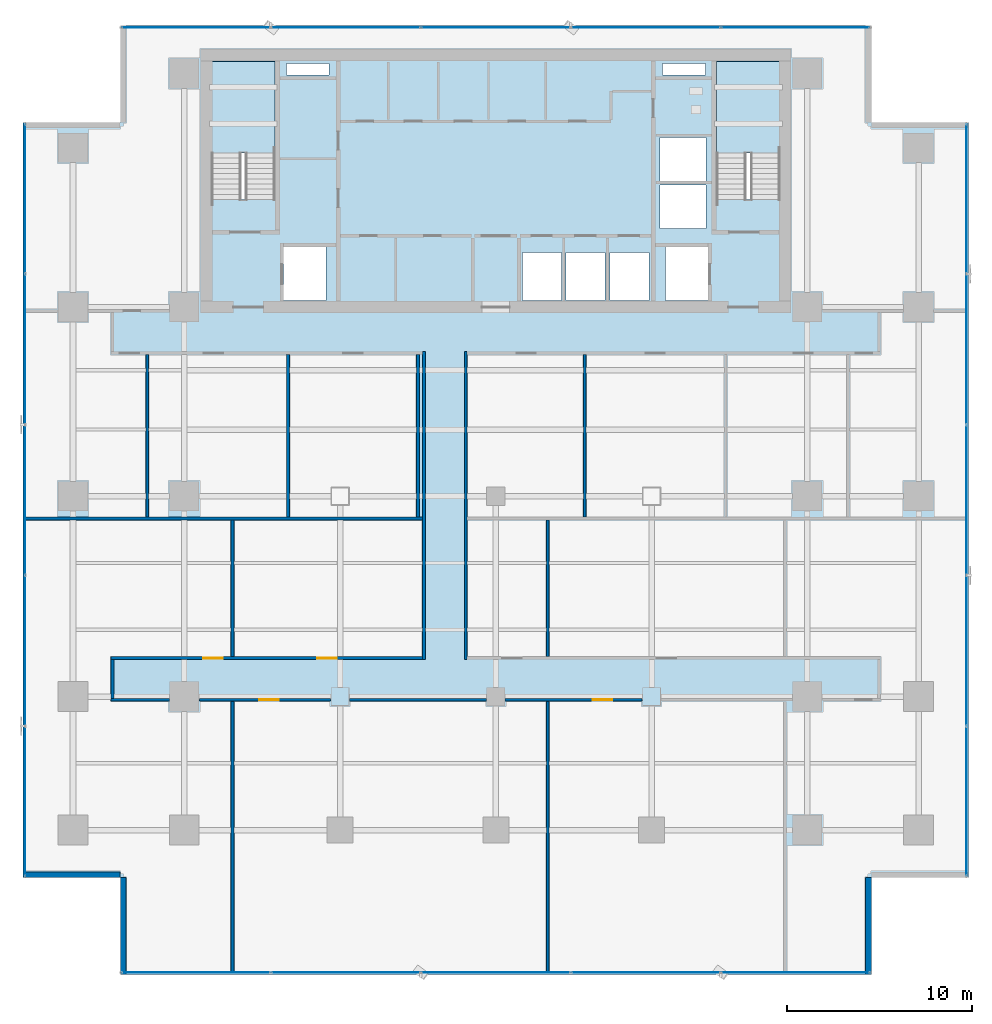
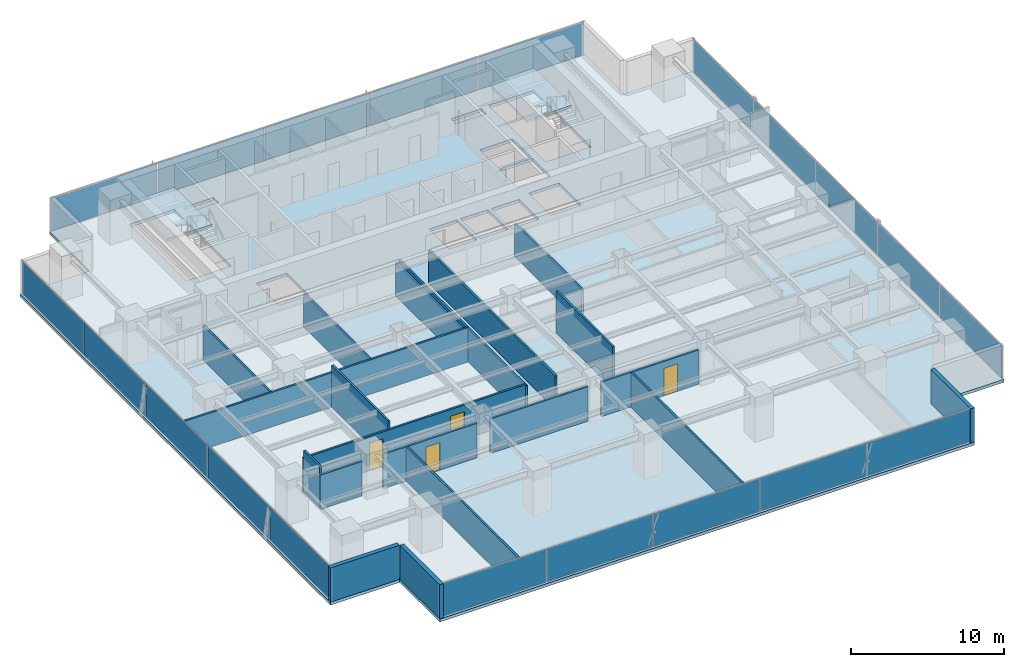
# One storey, part 27 of 37: 20 plates, 20 walls, 4 doors, 3 slabs, 4 openings, 6 elements without a shape of their own.
"""IFC4 building model written with IfcOpenShell, lengths in metres."""

from ifc_helpers import new_model, si_unit, direction, frame, frame_2d, origin, origin_2d, place, context, subcontext, project, spatial, polyline, rectangle, outline, extrude, source, transform, mapped, material, layer, layer_set, type_object, element, fill, aggregate, save


model = new_model("IFC4")

# Units and contexts
model_context = context("Model", 3, precision=1e-05, world=origin(), true_north=direction((0.0, 1.0)))
body_context = subcontext(model_context, "Body", "Model", "MODEL_VIEW")
ifc_project = project(units=[si_unit("LENGTHUNIT", "METRE"), si_unit("AREAUNIT", "SQUARE_METRE"), si_unit("VOLUMEUNIT", "CUBIC_METRE"), si_unit("PLANEANGLEUNIT", "RADIAN"), si_unit("MASSUNIT", "GRAM", prefix="KILO")], contexts=[model_context])

# Site, building, storey
site_placement = place(None, origin())
site = spatial("IfcSite", under=ifc_project, at=site_placement, CompositionType="ELEMENT")
building_placement = place(site_placement, origin())
building = spatial("IfcBuilding", under=site, at=building_placement, Name="Sumidabori Civic Tower", CompositionType="ELEMENT")
storey_placement = place(building_placement, frame((0.0, 0.0, 95.60009765625)))
storey = spatial("IfcBuildingStorey", under=building, at=storey_placement, Name="L24", CompositionType="ELEMENT", Elevation=95.60009765625)

# Stair, slab
ifc_material_1 = material(Name="Concrete C40/50", Category="concrete")
stair_type = type_object("IfcStairType", Name="ST-CORE-1600", PredefinedType="HALF_TURN_STAIR", material=ifc_material_1)
stair_1_placement = place(storey_placement, origin())
stair_1 = element("IfcStair", 1, at=stair_1_placement, inside=storey, type_object=stair_type, Name="L24 ST-1", PredefinedType="HALF_TURN_STAIR")
ifc_layer_1 = layer(ifc_material_1, 0.199951171875, Name="Concrete C40/50")
ifc_layer_set_1 = layer_set([ifc_layer_1], Name="Concrete C40/50")
slab_type_1 = type_object("IfcSlabType", Name="SL-LAND-200", PredefinedType="LANDING", material=ifc_layer_set_1)
slab_1_placement = place(storey_placement, frame((0.0, 0.0, 1.599853515625)))
slab_1 = element("IfcSlab", 2, at=slab_1_placement, type_object=slab_type_1, Name="ST-1 landing 1", PredefinedType="LANDING", context=body_context, shape_type="SweptSolid", body=[
    extrude(outline(polyline([(-11.89990234375, 18.52001953125), (-11.89990234375, 23.449951171875), (-15.340087890625, 23.449951171875), (-15.340087890625, 18.52001953125), (-11.89990234375, 18.52001953125)])), origin(), (0.0, 0.0, 1.0), 0.199951171875),
])
aggregate(stair_1, [slab_1])

stair_2_placement = place(storey_placement, origin())
stair_2 = element("IfcStair", 3, at=stair_2_placement, inside=storey, type_object=stair_type, Name="L24 ST-2", PredefinedType="HALF_TURN_STAIR")
slab_2_placement = place(storey_placement, frame((0.0, 0.0, 1.599853515625)))
slab_2 = element("IfcSlab", 4, at=slab_2_placement, type_object=slab_type_1, Name="ST-2 landing 1", PredefinedType="LANDING", context=body_context, shape_type="SweptSolid", body=[
    extrude(outline(polyline([(15.340087890625, 18.52001953125), (15.340087890625, 23.449951171875), (11.89990234375, 23.449951171875), (11.89990234375, 18.52001953125), (15.340087890625, 18.52001953125)])), origin(), (0.0, 0.0, 1.0), 0.199951171875),
])
aggregate(stair_2, [slab_2])

# Slab
ifc_layer_2 = layer(ifc_material_1, 0.239990234375, Name="Concrete C40/50")
ifc_layer_set_2 = layer_set([ifc_layer_2], Name="Concrete C40/50")
slab_type_2 = type_object("IfcSlabType", Name="SL-Z1-240", PredefinedType="FLOOR", material=ifc_layer_set_2)
slab_3_placement = place(storey_placement, frame((0.0, 0.0, -0.239990234375)))
element("IfcSlab", 5, at=slab_3_placement, inside=storey, type_object=slab_type_2, Name="Structural Slab L24", PredefinedType="FLOOR", context=body_context, shape_type="SweptSolid", body=[
    extrude(outline(polyline([(-20.25, -25.800048828125), (20.25, -25.800048828125), (20.25, -20.550048828125), (25.5, -20.550048828125), (25.5, 20.14990234375), (20.25, 20.14990234375), (20.25, 25.39990234375), (-20.25, 25.39990234375), (-20.25, 20.14990234375), (-25.5, 20.14990234375), (-25.5, -20.550048828125), (-20.25, -20.550048828125), (-20.25, -25.800048828125)]), holes=[polyline([(-11.89990234375, 16.0), (-11.89990234375, 23.449951171875), (-15.340087890625, 23.449951171875), (-15.340087890625, 16.0), (-11.89990234375, 16.0)]), polyline([(15.340087890625, 16.0), (15.340087890625, 23.449951171875), (11.89990234375, 23.449951171875), (11.89990234375, 16.0), (15.340087890625, 16.0)]), polyline([(-11.449951171875, 10.550048828125), (-9.14990234375, 10.550048828125), (-9.14990234375, 13.449951171875), (-11.449951171875, 13.449951171875), (-11.449951171875, 10.550048828125)]), polyline([(9.14990234375, 10.550048828125), (11.449951171875, 10.550048828125), (11.449951171875, 13.449951171875), (9.14990234375, 13.449951171875), (9.14990234375, 10.550048828125)]), polyline([(1.449951171875, 10.550048828125), (3.550048828125, 10.550048828125), (3.550048828125, 13.14990234375), (1.449951171875, 13.14990234375), (1.449951171875, 10.550048828125)]), polyline([(3.800048828125, 10.550048828125), (5.89990234375, 10.550048828125), (5.89990234375, 13.14990234375), (3.800048828125, 13.14990234375), (3.800048828125, 10.550048828125)]), polyline([(6.14990234375, 10.550048828125), (8.25, 10.550048828125), (8.25, 13.14990234375), (6.14990234375, 13.14990234375), (6.14990234375, 10.550048828125)]), polyline([(8.85009765625, 14.449951171875), (11.35009765625, 14.449951171875), (11.35009765625, 16.800048828125), (8.85009765625, 16.800048828125), (8.85009765625, 14.449951171875)]), polyline([(8.85009765625, 17.0), (11.35009765625, 17.0), (11.35009765625, 19.35009765625), (8.85009765625, 19.35009765625), (8.85009765625, 17.0)]), polyline([(-11.300048828125, 22.719970703125), (-9.0, 22.719970703125), (-9.0, 23.35009765625), (-11.300048828125, 23.35009765625), (-11.300048828125, 22.719970703125)]), polyline([(9.0, 22.719970703125), (11.300048828125, 22.719970703125), (11.300048828125, 23.35009765625), (9.0, 23.35009765625), (9.0, 22.719970703125)])]), origin(), (0.0, 0.0, 1.0), 0.239990234375),
])

# Curtain wall, plates
ifc_material_2 = material(Name="Anodised Bronze Aluminium AW-6063-T6", Category="aluminium")
ifc_layer_3 = layer(ifc_material_2, 0.179931640625, Name="Anodised Bronze Aluminium AW-6063-T6")
ifc_layer_set_3 = layer_set([ifc_layer_3], Name="Anodised Bronze Aluminium AW-6063-T6")
curtain_wall_type = type_object("IfcCurtainWallType", Name="CW-SYS-3", PredefinedType="NOTDEFINED", material=ifc_layer_set_3)
curtain_wall_1_placement = place(storey_placement, origin())
curtain_wall_1 = element("IfcCurtainWall", 6, at=curtain_wall_1_placement, inside=storey, type_object=curtain_wall_type, Name="Curtain Wall CW:L24:R01", PredefinedType="NOTDEFINED")
ifc_material_3 = material(Name="Low-E Solar-Control Vision Glazing", Category="glass")
ifc_layer_4 = layer(ifc_material_3, 0.028076171875, Name="Low-E Solar-Control Vision Glazing")
ifc_layer_set_4 = layer_set([ifc_layer_4], Name="Low-E Solar-Control Vision Glazing")
plate_type = type_object("IfcPlateType", Name="CW-PNL-28", PredefinedType="CURTAIN_PANEL", material=ifc_layer_set_4)
shared_shape_1 = source(origin(), body_context, "Body", "SweptSolid", [
    extrude(rectangle(XDim=7.990478515625, YDim=0.028076171875, at=origin_2d()), origin(), (0.0, 0.0, 1.0), 2.6201171875),
])
plate_1_placement = place(storey_placement, frame((-16.15966796875, -25.679931640625, 0.059814453125), z_axis=(0.0, 0.0, 1.0), x_axis=(1.0, 0.0, 0.0)))
plate_1 = element("IfcPlate", 7, at=plate_1_placement, type_object=plate_type, Name="CW-3 panel 1.1", PredefinedType="CURTAIN_PANEL", context=body_context, shape_type="MappedRepresentation", body=[
    mapped(shared_shape_1, transform((0.0, 0.0, 0.0), x_axis=(1.0, 0.0, 0.0), y_axis=(0.0, 1.0, 0.0), z_axis=(0.0, 0.0, 1.0), scale=1.0)),
])
plate_2_placement = place(storey_placement, frame((16.15966796875, -25.679931640625, 0.059814453125), z_axis=(0.0, 0.0, 1.0), x_axis=(1.0, 0.0, 0.0)))
plate_2 = element("IfcPlate", 8, at=plate_2_placement, type_object=plate_type, Name="CW-3 panel 5.1", PredefinedType="CURTAIN_PANEL", context=body_context, shape_type="MappedRepresentation", body=[
    mapped(shared_shape_1, transform((0.0, 0.0, 0.0), x_axis=(1.0, 0.0, 0.0), y_axis=(0.0, 1.0, 0.0), z_axis=(0.0, 0.0, 1.0), scale=1.0)),
])

curtain_wall_2_placement = place(storey_placement, origin())
curtain_wall_2 = element("IfcCurtainWall", 9, at=curtain_wall_2_placement, inside=storey, type_object=curtain_wall_type, Name="Curtain Wall CW:L24:R07", PredefinedType="NOTDEFINED")
plate_3_placement = place(storey_placement, frame((16.15966796875, 25.280029296875, 0.059814453125), z_axis=(0.0, 0.0, 1.0), x_axis=(-1.0, 0.0, 0.0)))
plate_3 = element("IfcPlate", 10, at=plate_3_placement, type_object=plate_type, Name="CW-3 panel 1.1", PredefinedType="CURTAIN_PANEL", context=body_context, shape_type="MappedRepresentation", body=[
    mapped(shared_shape_1, transform((0.0, 0.0, 0.0), x_axis=(1.0, 0.0, 0.0), y_axis=(0.0, 1.0, 0.0), z_axis=(0.0, 0.0, 1.0), scale=1.0)),
])
plate_4_placement = place(storey_placement, frame((-16.15966796875, 25.280029296875, 0.059814453125), z_axis=(0.0, 0.0, 1.0), x_axis=(-1.0, 0.0, 0.0)))
plate_4 = element("IfcPlate", 11, at=plate_4_placement, type_object=plate_type, Name="CW-3 panel 5.1", PredefinedType="CURTAIN_PANEL", context=body_context, shape_type="MappedRepresentation", body=[
    mapped(shared_shape_1, transform((0.0, 0.0, 0.0), x_axis=(1.0, 0.0, 0.0), y_axis=(0.0, 1.0, 0.0), z_axis=(0.0, 0.0, 1.0), scale=1.0)),
])

# Plate
shared_shape_2 = source(origin(), body_context, "Body", "SweptSolid", [
    extrude(rectangle(XDim=8.02294921875, YDim=0.028076171875, at=origin_2d()), origin(), (0.0, 0.0, 1.0), 2.6201171875),
])
plate_5_placement = place(storey_placement, frame((-8.087890625, -25.679931640625, 0.059814453125), z_axis=(0.0, 0.0, 1.0), x_axis=(1.0, 0.0, 0.0)))
plate_5 = element("IfcPlate", 12, at=plate_5_placement, type_object=plate_type, Name="CW-3 panel 2.1", PredefinedType="CURTAIN_PANEL", context=body_context, shape_type="MappedRepresentation", body=[
    mapped(shared_shape_2, transform((0.0, 0.0, 0.0), x_axis=(1.0, 0.0, 0.0), y_axis=(0.0, 1.0, 0.0), z_axis=(0.0, 0.0, 1.0), scale=1.0)),
])

plate_6_placement = place(storey_placement, frame((0.0, -25.679931640625, 0.059814453125), z_axis=(0.0, 0.0, 1.0), x_axis=(1.0, 0.0, 0.0)))
plate_6 = element("IfcPlate", 13, at=plate_6_placement, type_object=plate_type, Name="CW-3 panel 3.1", PredefinedType="CURTAIN_PANEL", context=body_context, shape_type="MappedRepresentation", body=[
    mapped(shared_shape_2, transform((0.0, 0.0, 0.0), x_axis=(1.0, 0.0, 0.0), y_axis=(0.0, 1.0, 0.0), z_axis=(0.0, 0.0, 1.0), scale=1.0)),
])

plate_7_placement = place(storey_placement, frame((8.087890625, -25.679931640625, 0.059814453125), z_axis=(0.0, 0.0, 1.0), x_axis=(1.0, 0.0, 0.0)))
plate_7 = element("IfcPlate", 14, at=plate_7_placement, type_object=plate_type, Name="CW-3 panel 4.1", PredefinedType="CURTAIN_PANEL", context=body_context, shape_type="MappedRepresentation", body=[
    mapped(shared_shape_2, transform((0.0, 0.0, 0.0), x_axis=(1.0, 0.0, 0.0), y_axis=(0.0, 1.0, 0.0), z_axis=(0.0, 0.0, 1.0), scale=1.0)),
])

aggregate(curtain_wall_1, [plate_1, plate_5, plate_6, plate_7, plate_2])

plate_8_placement = place(storey_placement, frame((8.087890625, 25.280029296875, 0.059814453125), z_axis=(0.0, 0.0, 1.0), x_axis=(-1.0, 0.0, 0.0)))
plate_8 = element("IfcPlate", 15, at=plate_8_placement, type_object=plate_type, Name="CW-3 panel 2.1", PredefinedType="CURTAIN_PANEL", context=body_context, shape_type="MappedRepresentation", body=[
    mapped(shared_shape_2, transform((0.0, 0.0, 0.0), x_axis=(1.0, 0.0, 0.0), y_axis=(0.0, 1.0, 0.0), z_axis=(0.0, 0.0, 1.0), scale=1.0)),
])

plate_9_placement = place(storey_placement, frame((0.0, 25.280029296875, 0.059814453125), z_axis=(0.0, 0.0, 1.0), x_axis=(-1.0, 0.0, 0.0)))
plate_9 = element("IfcPlate", 16, at=plate_9_placement, type_object=plate_type, Name="CW-3 panel 3.1", PredefinedType="CURTAIN_PANEL", context=body_context, shape_type="MappedRepresentation", body=[
    mapped(shared_shape_2, transform((0.0, 0.0, 0.0), x_axis=(1.0, 0.0, 0.0), y_axis=(0.0, 1.0, 0.0), z_axis=(0.0, 0.0, 1.0), scale=1.0)),
])

plate_10_placement = place(storey_placement, frame((-8.087890625, 25.280029296875, 0.059814453125), z_axis=(0.0, 0.0, 1.0), x_axis=(-1.0, 0.0, 0.0)))
plate_10 = element("IfcPlate", 17, at=plate_10_placement, type_object=plate_type, Name="CW-3 panel 4.1", PredefinedType="CURTAIN_PANEL", context=body_context, shape_type="MappedRepresentation", body=[
    mapped(shared_shape_2, transform((0.0, 0.0, 0.0), x_axis=(1.0, 0.0, 0.0), y_axis=(0.0, 1.0, 0.0), z_axis=(0.0, 0.0, 1.0), scale=1.0)),
])

aggregate(curtain_wall_2, [plate_3, plate_8, plate_9, plate_10, plate_4])

# Curtain wall, plates
curtain_wall_3_placement = place(storey_placement, origin())
curtain_wall_3 = element("IfcCurtainWall", 18, at=curtain_wall_3_placement, inside=storey, type_object=curtain_wall_type, Name="Curtain Wall CW:L24:R04", PredefinedType="NOTDEFINED")
shared_shape_3 = source(origin(), body_context, "Body", "SweptSolid", [
    extrude(rectangle(XDim=8.030517578125, YDim=0.028076171875, at=origin_2d()), origin(), (0.0, 0.0, 1.0), 2.6201171875),
])
plate_11_placement = place(storey_placement, frame((25.3798828125, -16.439697265625, 0.059814453125), z_axis=(0.0, 0.0, 1.0), x_axis=(0.0, 1.0, 0.0)))
plate_11 = element("IfcPlate", 19, at=plate_11_placement, type_object=plate_type, Name="CW-3 panel 1.1", PredefinedType="CURTAIN_PANEL", context=body_context, shape_type="MappedRepresentation", body=[
    mapped(shared_shape_3, transform((0.0, 0.0, 0.0), x_axis=(1.0, 0.0, 0.0), y_axis=(0.0, 1.0, 0.0), z_axis=(0.0, 0.0, 1.0), scale=1.0)),
])
plate_12_placement = place(storey_placement, frame((25.3798828125, 16.039794921875, 0.059814453125), z_axis=(0.0, 0.0, 1.0), x_axis=(0.0, 1.0, 0.0)))
plate_12 = element("IfcPlate", 20, at=plate_12_placement, type_object=plate_type, Name="CW-3 panel 5.1", PredefinedType="CURTAIN_PANEL", context=body_context, shape_type="MappedRepresentation", body=[
    mapped(shared_shape_3, transform((0.0, 0.0, 0.0), x_axis=(1.0, 0.0, 0.0), y_axis=(0.0, 1.0, 0.0), z_axis=(0.0, 0.0, 1.0), scale=1.0)),
])

curtain_wall_4_placement = place(storey_placement, origin())
curtain_wall_4 = element("IfcCurtainWall", 21, at=curtain_wall_4_placement, inside=storey, type_object=curtain_wall_type, Name="Curtain Wall CW:L24:R10", PredefinedType="NOTDEFINED")
plate_13_placement = place(storey_placement, frame((-25.3798828125, 16.039794921875, 0.059814453125), z_axis=(0.0, 0.0, 1.0), x_axis=(0.0, -1.0, 0.0)))
plate_13 = element("IfcPlate", 22, at=plate_13_placement, type_object=plate_type, Name="CW-3 panel 1.1", PredefinedType="CURTAIN_PANEL", context=body_context, shape_type="MappedRepresentation", body=[
    mapped(shared_shape_3, transform((0.0, 0.0, 0.0), x_axis=(1.0, 0.0, 0.0), y_axis=(0.0, 1.0, 0.0), z_axis=(0.0, 0.0, 1.0), scale=1.0)),
])
plate_14_placement = place(storey_placement, frame((-25.3798828125, -16.439697265625, 0.059814453125), z_axis=(0.0, 0.0, 1.0), x_axis=(0.0, -1.0, 0.0)))
plate_14 = element("IfcPlate", 23, at=plate_14_placement, type_object=plate_type, Name="CW-3 panel 5.1", PredefinedType="CURTAIN_PANEL", context=body_context, shape_type="MappedRepresentation", body=[
    mapped(shared_shape_3, transform((0.0, 0.0, 0.0), x_axis=(1.0, 0.0, 0.0), y_axis=(0.0, 1.0, 0.0), z_axis=(0.0, 0.0, 1.0), scale=1.0)),
])

# Plate
shared_shape_4 = source(origin(), body_context, "Body", "SweptSolid", [
    extrude(rectangle(XDim=8.06298828125, YDim=0.028076171875, at=origin_2d()), origin(), (0.0, 0.0, 1.0), 2.6201171875),
])
plate_15_placement = place(storey_placement, frame((25.3798828125, -8.327880859375, 0.059814453125), z_axis=(0.0, 0.0, 1.0), x_axis=(0.0, 1.0, 0.0)))
plate_15 = element("IfcPlate", 24, at=plate_15_placement, type_object=plate_type, Name="CW-3 panel 2.1", PredefinedType="CURTAIN_PANEL", context=body_context, shape_type="MappedRepresentation", body=[
    mapped(shared_shape_4, transform((0.0, 0.0, 0.0), x_axis=(1.0, 0.0, 0.0), y_axis=(0.0, 1.0, 0.0), z_axis=(0.0, 0.0, 1.0), scale=1.0)),
])

plate_16_placement = place(storey_placement, frame((25.3798828125, -0.199951171875, 0.059814453125), z_axis=(0.0, 0.0, 1.0), x_axis=(0.0, 1.0, 0.0)))
plate_16 = element("IfcPlate", 25, at=plate_16_placement, type_object=plate_type, Name="CW-3 panel 3.1", PredefinedType="CURTAIN_PANEL", context=body_context, shape_type="MappedRepresentation", body=[
    mapped(shared_shape_4, transform((0.0, 0.0, 0.0), x_axis=(1.0, 0.0, 0.0), y_axis=(0.0, 1.0, 0.0), z_axis=(0.0, 0.0, 1.0), scale=1.0)),
])

plate_17_placement = place(storey_placement, frame((25.3798828125, 7.927978515625, 0.059814453125), z_axis=(0.0, 0.0, 1.0), x_axis=(0.0, 1.0, 0.0)))
plate_17 = element("IfcPlate", 26, at=plate_17_placement, type_object=plate_type, Name="CW-3 panel 4.1", PredefinedType="CURTAIN_PANEL", context=body_context, shape_type="MappedRepresentation", body=[
    mapped(shared_shape_4, transform((0.0, 0.0, 0.0), x_axis=(1.0, 0.0, 0.0), y_axis=(0.0, 1.0, 0.0), z_axis=(0.0, 0.0, 1.0), scale=1.0)),
])

aggregate(curtain_wall_3, [plate_11, plate_15, plate_16, plate_17, plate_12])

plate_18_placement = place(storey_placement, frame((-25.3798828125, 7.927978515625, 0.059814453125), z_axis=(0.0, 0.0, 1.0), x_axis=(0.0, -1.0, 0.0)))
plate_18 = element("IfcPlate", 27, at=plate_18_placement, type_object=plate_type, Name="CW-3 panel 2.1", PredefinedType="CURTAIN_PANEL", context=body_context, shape_type="MappedRepresentation", body=[
    mapped(shared_shape_4, transform((0.0, 0.0, 0.0), x_axis=(1.0, 0.0, 0.0), y_axis=(0.0, 1.0, 0.0), z_axis=(0.0, 0.0, 1.0), scale=1.0)),
])

plate_19_placement = place(storey_placement, frame((-25.3798828125, -0.199951171875, 0.059814453125), z_axis=(0.0, 0.0, 1.0), x_axis=(0.0, -1.0, 0.0)))
plate_19 = element("IfcPlate", 28, at=plate_19_placement, type_object=plate_type, Name="CW-3 panel 3.1", PredefinedType="CURTAIN_PANEL", context=body_context, shape_type="MappedRepresentation", body=[
    mapped(shared_shape_4, transform((0.0, 0.0, 0.0), x_axis=(1.0, 0.0, 0.0), y_axis=(0.0, 1.0, 0.0), z_axis=(0.0, 0.0, 1.0), scale=1.0)),
])

plate_20_placement = place(storey_placement, frame((-25.3798828125, -8.327880859375, 0.059814453125), z_axis=(0.0, 0.0, 1.0), x_axis=(0.0, -1.0, 0.0)))
plate_20 = element("IfcPlate", 29, at=plate_20_placement, type_object=plate_type, Name="CW-3 panel 4.1", PredefinedType="CURTAIN_PANEL", context=body_context, shape_type="MappedRepresentation", body=[
    mapped(shared_shape_4, transform((0.0, 0.0, 0.0), x_axis=(1.0, 0.0, 0.0), y_axis=(0.0, 1.0, 0.0), z_axis=(0.0, 0.0, 1.0), scale=1.0)),
])

aggregate(curtain_wall_4, [plate_13, plate_18, plate_19, plate_20, plate_14])

# Walls
ifc_material_4 = material(Name="Precast concrete C40/50", Category="concrete")
ifc_layer_5 = layer(ifc_material_4, 0.300048828125, Name="Precast concrete C40/50")
ifc_layer_set_5 = layer_set([ifc_layer_5], Name="Precast concrete C40/50")
wall_type_1 = type_object("IfcWallType", Name="WL-EXT-POD300", PredefinedType="STANDARD", material=ifc_layer_set_5)
shared_shape_5 = source(origin(), body_context, "Body", "SweptSolid", [
    extrude(rectangle(XDim=5.2099609375, YDim=0.300048828125, at=frame_2d((2.60498046875, 0.0))), origin(), (0.0, 0.0, 1.0), 2.739990234375),
])
for number, where, z_axis, x_axis, name in (
    (30, (20.10009765625, -25.780029296875, 0.0), (0.0, 0.0, 1.0), (0.0, 1.0, 0.0), "Notched Corner Spandrel Band L24-02"),
    (31, (-25.47998046875, -20.39990234375, 0.0), (0.0, 0.0, 1.0), (1.0, 0.0, 0.0), "Notched Corner Spandrel Band L24-11"),
    (32, (-20.10009765625, -20.570068359375, 0.0), (0.0, 0.0, 1.0), (0.0, -1.0, 0.0), "Notched Corner Spandrel Band L24-12"),
):
    element("IfcWall", number, at=place(storey_placement, frame(where, z_axis=z_axis, x_axis=x_axis)), inside=storey, type_object=wall_type_1, Name=name, PredefinedType="STANDARD", context=body_context, shape_type="MappedRepresentation", body=[
        mapped(shared_shape_5, transform((0.0, 0.0, 0.0), x_axis=(1.0, 0.0, 0.0), y_axis=(0.0, 1.0, 0.0), z_axis=(0.0, 0.0, 1.0), scale=1.0)),
    ])
ifc_material_5 = material(Name="Gypsum Plasterboard Acoustic Partition")
ifc_layer_6 = layer(ifc_material_5, 0.14990234375, Name="Gypsum Plasterboard Acoustic Partition")
ifc_layer_set_6 = layer_set([ifc_layer_6], Name="Gypsum Plasterboard Acoustic Partition")
wall_type_2 = type_object("IfcWallType", Name="WL-PART-150", PredefinedType="PARTITIONING", material=ifc_layer_set_6)
shared_shape_6 = source(origin(), body_context, "Body", "SweptSolid", [
    extrude(rectangle(XDim=16.60009765625, YDim=0.14990234375, at=frame_2d((8.300048828125, 0.0))), origin(), (0.0, 0.0, 1.0), 2.64501953125),
])
for number, where, z_axis, x_axis, name in (
    (33, (-3.875, -8.800048828125, 0.0), (0.0, 0.0, 1.0), (0.0, 1.0, 0.0), "Interior Partition WL:L24:CORR-VSP-W"),
    (34, (-1.625, -8.800048828125, 0.0), (0.0, 0.0, 1.0), (0.0, 1.0, 0.0), "Interior Partition WL:L24:CORR-VSP-E"),
):
    element("IfcWall", number, at=place(storey_placement, frame(where, z_axis=z_axis, x_axis=x_axis)), inside=storey, type_object=wall_type_2, Name=name, PredefinedType="PARTITIONING", context=body_context, shape_type="MappedRepresentation", body=[
        mapped(shared_shape_6, transform((0.0, 0.0, 0.0), x_axis=(1.0, 0.0, 0.0), y_axis=(0.0, 1.0, 0.0), z_axis=(0.0, 0.0, 1.0), scale=1.0)),
    ])
shared_shape_7 = source(origin(), body_context, "Body", "SweptSolid", [
    extrude(rectangle(XDim=8.76513671875, YDim=0.14990234375, at=frame_2d((4.382568359375, 0.0))), origin(), (0.0, 0.0, 1.0), 2.64501953125),
])
for number, where, z_axis, x_axis, name in (
    (35, (-11.199951171875, -1.1201171875, 0.0), (0.0, 0.0, 1.0), (0.0, 1.0, 0.0), "Interior Partition WL:L24:VX-N2"),
    (36, (-4.199951171875, -1.1201171875, 0.0), (0.0, 0.0, 1.0), (0.0, 1.0, 0.0), "Interior Partition WL:L24:VX-N3"),
    (37, (4.800048828125, -1.1201171875, 0.0), (0.0, 0.0, 1.0), (0.0, 1.0, 0.0), "Interior Partition WL:L24:VX-N4"),
):
    element("IfcWall", number, at=place(storey_placement, frame(where, z_axis=z_axis, x_axis=x_axis)), inside=storey, type_object=wall_type_2, Name=name, PredefinedType="PARTITIONING", context=body_context, shape_type="MappedRepresentation", body=[
        mapped(shared_shape_7, transform((0.0, 0.0, 0.0), x_axis=(1.0, 0.0, 0.0), y_axis=(0.0, 1.0, 0.0), z_axis=(0.0, 0.0, 1.0), scale=1.0)),
    ])

# Wall, openings, doors
shared_shape_8 = source(origin(), body_context, "Body", "SweptSolid", [
    extrude(rectangle(XDim=16.800048828125, YDim=0.14990234375, at=frame_2d((8.39990234375, 0.0))), origin(), (0.0, 0.0, 1.0), 2.744873046875),
])
wall_1_placement = place(storey_placement, frame((-20.75, -8.72509765625, 0.0), z_axis=(0.0, 0.0, 1.0), x_axis=(1.0, 0.0, 0.0)))
wall_1 = element("IfcWall", 38, at=wall_1_placement, inside=storey, type_object=wall_type_2, Name="Interior Partition WL:L24:CORR-MNW", PredefinedType="PARTITIONING", context=body_context, shape_type="MappedRepresentation", body=[
    mapped(shared_shape_8, transform((0.0, 0.0, 0.0), x_axis=(1.0, 0.0, 0.0), y_axis=(0.0, 1.0, 0.0), z_axis=(0.0, 0.0, 1.0), scale=1.0)),
])
opening_1_placement = place(wall_1_placement, frame((11.132568359375, 0.0, 0.0)))
opening_1 = element("IfcOpeningElement", 39, at=opening_1_placement, cuts=wall_1, Name="Opening DR-4", PredefinedType="OPENING", context=body_context, shape_type="SweptSolid", body=[
    extrude(rectangle(XDim=1.0400390625, YDim=2.199951171875, at=frame_2d((0.52001953125, 1.10009765625))), frame((0.0, 0.0869140625, 0.0), z_axis=(0.0, -1.0, 0.0), x_axis=(1.0, 0.0, 0.0)), (0.0, 0.0, 1.0), 0.173828125),
])
opening_2_placement = place(wall_1_placement, frame((4.9775390625, 0.0, 0.0)))
opening_2 = element("IfcOpeningElement", 40, at=opening_2_placement, cuts=wall_1, Name="Opening DR-4", PredefinedType="OPENING", context=body_context, shape_type="SweptSolid", body=[
    extrude(rectangle(XDim=1.0400390625, YDim=2.199951171875, at=frame_2d((0.52001953125, 1.10009765625))), frame((0.0, 0.0869140625, 0.0), z_axis=(0.0, -1.0, 0.0), x_axis=(1.0, 0.0, 0.0)), (0.0, 0.0, 1.0), 0.173828125),
])
ifc_material_6 = material(Name="Japanese Hinoki Timber", Category="wood")
door_type = type_object("IfcDoorType", Name="DR-INT-1040", OperationType="NOTDEFINED", PredefinedType="DOOR", material=ifc_material_6)
shared_shape_9 = source(origin(), body_context, "Body", "SweptSolid", [
    extrude(rectangle(XDim=1.0400390625, YDim=2.199951171875, at=frame_2d((0.52001953125, 1.10009765625))), frame((0.0, 0.02490234375, 0.0), z_axis=(0.0, -1.0, 0.0), x_axis=(1.0, 0.0, 0.0)), (0.0, 0.0, 1.0), 0.050048828125),
])
door_1_placement = place(opening_1_placement, origin())
door_1 = element("IfcDoor", 41, at=door_1_placement, inside=storey, type_object=door_type, Name="Door DR:L24:D09", OperationType="SINGLE_SWING_LEFT", OverallHeight=2.199951171875, OverallWidth=1.0400390625, PredefinedType="DOOR", context=body_context, shape_type="MappedRepresentation", body=[
    mapped(shared_shape_9, transform((0.0, 0.0, 0.0), x_axis=(1.0, 0.0, 0.0), y_axis=(0.0, 1.0, 0.0), z_axis=(0.0, 0.0, 1.0), scale=1.0)),
])
fill(opening_1, door_1)
door_2_placement = place(opening_2_placement, origin())
door_2 = element("IfcDoor", 42, at=door_2_placement, inside=storey, type_object=door_type, Name="Door DR:L24:D13", OperationType="SINGLE_SWING_LEFT", OverallHeight=2.199951171875, OverallWidth=1.0400390625, PredefinedType="DOOR", context=body_context, shape_type="MappedRepresentation", body=[
    mapped(shared_shape_9, transform((0.0, 0.0, 0.0), x_axis=(1.0, 0.0, 0.0), y_axis=(0.0, 1.0, 0.0), z_axis=(0.0, 0.0, 1.0), scale=1.0)),
])
fill(opening_2, door_2)

# Wall
shared_shape_10 = source(origin(), body_context, "Body", "SweptSolid", [
    extrude(rectangle(XDim=3.139892578125, YDim=0.14990234375, at=frame_2d((1.56982421875, 0.0))), origin(), (0.0, 0.0, 1.0), 2.744873046875),
])
wall_2_placement = place(storey_placement, frame((-20.75, -10.97509765625, 0.0), z_axis=(0.0, 0.0, 1.0), x_axis=(1.0, 0.0, 0.0)))
element("IfcWall", 43, at=wall_2_placement, inside=storey, type_object=wall_type_2, Name="Interior Partition WL:L24:CORR-SS-1", PredefinedType="PARTITIONING", context=body_context, shape_type="MappedRepresentation", body=[
    mapped(shared_shape_10, transform((0.0, 0.0, 0.0), x_axis=(1.0, 0.0, 0.0), y_axis=(0.0, 1.0, 0.0), z_axis=(0.0, 0.0, 1.0), scale=1.0)),
])

# Wall, opening, door
shared_shape_11 = source(origin(), body_context, "Body", "SweptSolid", [
    extrude(rectangle(XDim=7.080078125, YDim=0.14990234375, at=frame_2d((3.5400390625, 0.0))), origin(), (0.0, 0.0, 1.0), 2.744873046875),
])
wall_3_placement = place(storey_placement, frame((-15.989990234375, -10.97509765625, 0.0), z_axis=(0.0, 0.0, 1.0), x_axis=(1.0, 0.0, 0.0)))
wall_3 = element("IfcWall", 44, at=wall_3_placement, inside=storey, type_object=wall_type_2, Name="Interior Partition WL:L24:CORR-SS-2", PredefinedType="PARTITIONING", context=body_context, shape_type="MappedRepresentation", body=[
    mapped(shared_shape_11, transform((0.0, 0.0, 0.0), x_axis=(1.0, 0.0, 0.0), y_axis=(0.0, 1.0, 0.0), z_axis=(0.0, 0.0, 1.0), scale=1.0)),
])
opening_3_placement = place(wall_3_placement, frame((3.232421875, 0.0, 0.0)))
opening_3 = element("IfcOpeningElement", 45, at=opening_3_placement, cuts=wall_3, Name="Opening DR-4", PredefinedType="OPENING", context=body_context, shape_type="SweptSolid", body=[
    extrude(rectangle(XDim=1.0400390625, YDim=2.199951171875, at=frame_2d((0.52001953125, 1.10009765625))), frame((0.0, 0.0869140625, 0.0), z_axis=(0.0, -1.0, 0.0), x_axis=(1.0, 0.0, 0.0)), (0.0, 0.0, 1.0), 0.173828125),
])
door_3_placement = place(opening_3_placement, origin())
door_3 = element("IfcDoor", 46, at=door_3_placement, inside=storey, type_object=door_type, Name="Door DR:L24:D14", OperationType="SINGLE_SWING_RIGHT", OverallHeight=2.199951171875, OverallWidth=1.0400390625, PredefinedType="DOOR", context=body_context, shape_type="MappedRepresentation", body=[
    mapped(shared_shape_9, transform((0.0, 0.0, 0.0), x_axis=(1.0, 0.0, 0.0), y_axis=(0.0, 1.0, 0.0), z_axis=(0.0, 0.0, 1.0), scale=1.0)),
])
fill(opening_3, door_3)

# Wall
shared_shape_12 = source(origin(), body_context, "Body", "SweptSolid", [
    extrude(rectangle(XDim=7.3798828125, YDim=0.14990234375, at=frame_2d((3.68994140625, 0.0))), origin(), (0.0, 0.0, 1.0), 2.744873046875),
])
wall_4_placement = place(storey_placement, frame((-7.889892578125, -10.97509765625, 0.0), z_axis=(0.0, 0.0, 1.0), x_axis=(1.0, 0.0, 0.0)))
element("IfcWall", 47, at=wall_4_placement, inside=storey, type_object=wall_type_2, Name="Interior Partition WL:L24:CORR-SS-3", PredefinedType="PARTITIONING", context=body_context, shape_type="MappedRepresentation", body=[
    mapped(shared_shape_12, transform((0.0, 0.0, 0.0), x_axis=(1.0, 0.0, 0.0), y_axis=(0.0, 1.0, 0.0), z_axis=(0.0, 0.0, 1.0), scale=1.0)),
])

# Wall, opening, door
wall_5_placement = place(storey_placement, frame((0.510009765625, -10.97509765625, 0.0), z_axis=(0.0, 0.0, 1.0), x_axis=(1.0, 0.0, 0.0)))
wall_5 = element("IfcWall", 48, at=wall_5_placement, inside=storey, type_object=wall_type_2, Name="Interior Partition WL:L24:CORR-SS-4", PredefinedType="PARTITIONING", context=body_context, shape_type="MappedRepresentation", body=[
    mapped(shared_shape_12, transform((0.0, 0.0, 0.0), x_axis=(1.0, 0.0, 0.0), y_axis=(0.0, 1.0, 0.0), z_axis=(0.0, 0.0, 1.0), scale=1.0)),
])
opening_4_placement = place(wall_5_placement, frame((4.732421875, 0.0, 0.0)))
opening_4 = element("IfcOpeningElement", 49, at=opening_4_placement, cuts=wall_5, Name="Opening DR-4", PredefinedType="OPENING", context=body_context, shape_type="SweptSolid", body=[
    extrude(rectangle(XDim=1.0400390625, YDim=2.199951171875, at=frame_2d((0.52001953125, 1.10009765625))), frame((0.0, 0.0869140625, 0.0), z_axis=(0.0, -1.0, 0.0), x_axis=(1.0, 0.0, 0.0)), (0.0, 0.0, 1.0), 0.173828125),
])
door_4_placement = place(opening_4_placement, origin())
door_4 = element("IfcDoor", 50, at=door_4_placement, inside=storey, type_object=door_type, Name="Door DR:L24:D15", OperationType="SINGLE_SWING_LEFT", OverallHeight=2.199951171875, OverallWidth=1.0400390625, PredefinedType="DOOR", context=body_context, shape_type="MappedRepresentation", body=[
    mapped(shared_shape_9, transform((0.0, 0.0, 0.0), x_axis=(1.0, 0.0, 0.0), y_axis=(0.0, 1.0, 0.0), z_axis=(0.0, 0.0, 1.0), scale=1.0)),
])
fill(opening_4, door_4)

# Walls
shared_shape_13 = source(origin(), body_context, "Body", "SweptSolid", [
    extrude(rectangle(XDim=2.090087890625, YDim=0.14990234375, at=frame_2d((1.044921875, 0.0))), origin(), (0.0, 0.0, 1.0), 3.35986328125),
])
wall_6_placement = place(storey_placement, frame((-20.675048828125, -10.89501953125, 0.0), z_axis=(0.0, 0.0, 1.0), x_axis=(0.0, 1.0, 0.0)))
element("IfcWall", 51, at=wall_6_placement, inside=storey, type_object=wall_type_2, Name="Interior Partition WL:L24:CORR-VSW", PredefinedType="PARTITIONING", context=body_context, shape_type="MappedRepresentation", body=[
    mapped(shared_shape_13, transform((0.0, 0.0, 0.0), x_axis=(1.0, 0.0, 0.0), y_axis=(0.0, 1.0, 0.0), z_axis=(0.0, 0.0, 1.0), scale=1.0)),
])
shared_shape_14 = source(origin(), body_context, "Body", "SweptSolid", [
    extrude(rectangle(XDim=21.39501953125, YDim=0.14990234375, at=frame_2d((10.697509765625, 0.0))), origin(), (0.0, 0.0, 1.0), 2.744873046875),
])
wall_7_placement = place(storey_placement, frame((-25.35009765625, -1.199951171875, 0.0), z_axis=(0.0, 0.0, 1.0), x_axis=(1.0, 0.0, 0.0)))
element("IfcWall", 52, at=wall_7_placement, inside=storey, type_object=wall_type_2, Name="Interior Partition WL:L24:BAND-Y-1", PredefinedType="PARTITIONING", context=body_context, shape_type="MappedRepresentation", body=[
    mapped(shared_shape_14, transform((0.0, 0.0, 0.0), x_axis=(1.0, 0.0, 0.0), y_axis=(0.0, 1.0, 0.0), z_axis=(0.0, 0.0, 1.0), scale=1.0)),
])
shared_shape_15 = source(origin(), body_context, "Body", "SweptSolid", [
    extrude(rectangle(XDim=8.76513671875, YDim=0.14990234375, at=frame_2d((4.382568359375, 0.0))), origin(), (0.0, 0.0, 1.0), 2.744873046875),
])
wall_8_placement = place(storey_placement, frame((-18.800048828125, -1.1201171875, 0.0), z_axis=(0.0, 0.0, 1.0), x_axis=(0.0, 1.0, 0.0)))
element("IfcWall", 53, at=wall_8_placement, inside=storey, type_object=wall_type_2, Name="Interior Partition WL:L24:VX-N1", PredefinedType="PARTITIONING", context=body_context, shape_type="MappedRepresentation", body=[
    mapped(shared_shape_15, transform((0.0, 0.0, 0.0), x_axis=(1.0, 0.0, 0.0), y_axis=(0.0, 1.0, 0.0), z_axis=(0.0, 0.0, 1.0), scale=1.0)),
])
shared_shape_16 = source(origin(), body_context, "Body", "SweptSolid", [
    extrude(rectangle(XDim=14.594970703125, YDim=0.14990234375, at=frame_2d((7.29736328125, 0.0))), origin(), (0.0, 0.0, 1.0), 2.744873046875),
])
for number, where, z_axis, x_axis, name in (
    (54, (-14.199951171875, -25.64990234375, 0.0), (0.0, 0.0, 1.0), (0.0, 1.0, 0.0), "Interior Partition WL:L24:VX-S1-1"),
    (55, (2.800048828125, -25.64990234375, 0.0), (0.0, 0.0, 1.0), (0.0, 1.0, 0.0), "Interior Partition WL:L24:VX-S2-1"),
):
    element("IfcWall", number, at=place(storey_placement, frame(where, z_axis=z_axis, x_axis=x_axis)), inside=storey, type_object=wall_type_2, Name=name, PredefinedType="PARTITIONING", context=body_context, shape_type="MappedRepresentation", body=[
        mapped(shared_shape_16, transform((0.0, 0.0, 0.0), x_axis=(1.0, 0.0, 0.0), y_axis=(0.0, 1.0, 0.0), z_axis=(0.0, 0.0, 1.0), scale=1.0)),
    ])
shared_shape_17 = source(origin(), body_context, "Body", "SweptSolid", [
    extrude(rectangle(XDim=7.364990234375, YDim=0.14990234375, at=frame_2d((3.6826171875, 0.0))), origin(), (0.0, 0.0, 1.0), 3.35986328125),
])
for number, where, z_axis, x_axis, name in (
    (56, (-14.199951171875, -8.64501953125, 0.0), (0.0, 0.0, 1.0), (0.0, 1.0, 0.0), "Interior Partition WL:L24:VX-S1-2"),
    (57, (2.800048828125, -8.64501953125, 0.0), (0.0, 0.0, 1.0), (0.0, 1.0, 0.0), "Interior Partition WL:L24:VX-S2-2"),
):
    element("IfcWall", number, at=place(storey_placement, frame(where, z_axis=z_axis, x_axis=x_axis)), inside=storey, type_object=wall_type_2, Name=name, PredefinedType="PARTITIONING", context=body_context, shape_type="MappedRepresentation", body=[
        mapped(shared_shape_17, transform((0.0, 0.0, 0.0), x_axis=(1.0, 0.0, 0.0), y_axis=(0.0, 1.0, 0.0), z_axis=(0.0, 0.0, 1.0), scale=1.0)),
    ])

save(model, "model.ifc")
